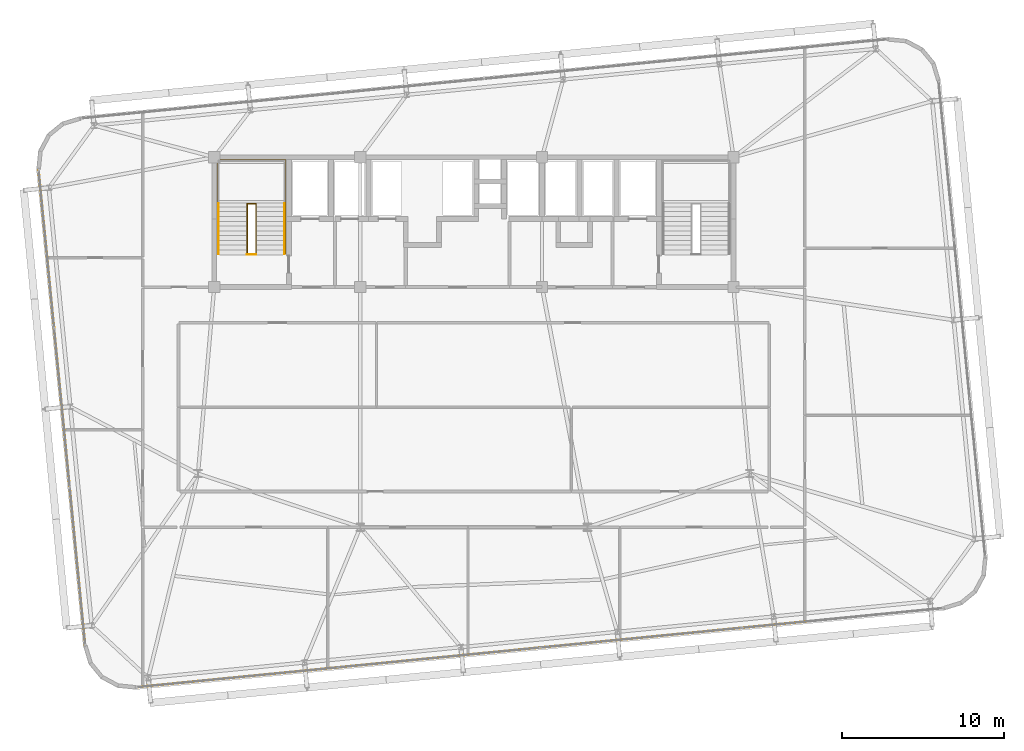
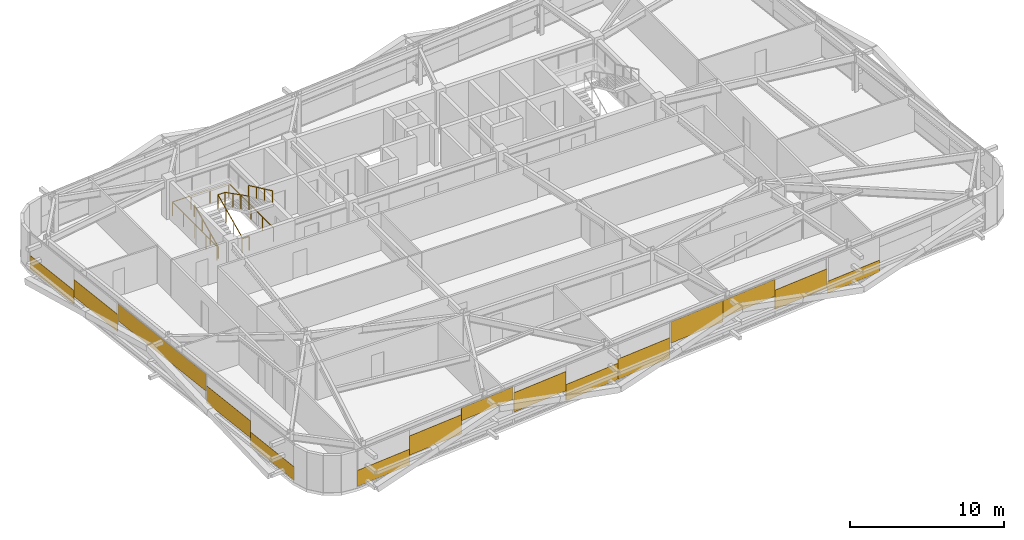
# One storey, part 45 of 47: 15 coverings, 5 railings.
"""IFC4 building model written with IfcOpenShell, lengths in metres."""

from ifc_helpers import new_model, si_unit, direction, frame, origin, origin_2d, place, context, subcontext, project, spatial, rectangle, extrude, source, transform, mapped, material, layer, layer_set, type_object, element, save


model = new_model("IFC4")

# Units and contexts
model_context = context("Model", 3, precision=1e-05, world=origin(), true_north=direction((0.0, 1.0)))
body_context = subcontext(model_context, "Body", "Model", "MODEL_VIEW")
ifc_project = project(units=[si_unit("LENGTHUNIT", "METRE"), si_unit("AREAUNIT", "SQUARE_METRE"), si_unit("VOLUMEUNIT", "CUBIC_METRE"), si_unit("PLANEANGLEUNIT", "RADIAN"), si_unit("MASSUNIT", "GRAM", prefix="KILO")], contexts=[model_context])

# Site, building, storey
site_placement = place(None, origin())
site = spatial("IfcSite", under=ifc_project, at=site_placement, CompositionType="ELEMENT")
building_placement = place(site_placement, origin())
building = spatial("IfcBuilding", under=site, at=building_placement, Name="Taldren Reach Tower", CompositionType="ELEMENT")
storey_placement = place(building_placement, frame((0.0, 0.0, 87.14990234375)))
storey = spatial("IfcBuildingStorey", under=building, at=storey_placement, Name="L26", CompositionType="ELEMENT", Elevation=87.14990234375)

# Railings
ifc_material_1 = material(Name="Steel Gr 350 (C350L0)", Category="steel")
ifc_layer_1 = layer(ifc_material_1, 0.050048828125)
ifc_layer_set_1 = layer_set([ifc_layer_1], Name="Steel Gr 350 (C350L0)")
railing_type_1 = type_object("IfcRailingType", Name="RL-STAIR-GR", PredefinedType="GUARDRAIL", material=ifc_layer_set_1)
railing_1_placement = place(storey_placement, frame((21.030029296875, 26.050048828125, 0.13134765625)))
element("IfcRailing", 1, at=railing_1_placement, inside=storey, type_object=railing_type_1, Name="Stairwell inner guard ST1-L26", PredefinedType="GUARDRAIL", context=body_context, shape_type="SweptSolid", body=[
    extrude(rectangle(XDim=0.047852, YDim=0.047852, at=origin_2d()), frame((0.0, 0.0, 1.09619140625), z_axis=(0.0, 0.905710134349, 0.423897573167), x_axis=(-1.0, 0.0, 0.0)), (0.0, 0.0, 1.0), 3.406005859375),
    extrude(rectangle(XDim=0.047852, YDim=0.047852, at=origin_2d()), frame((0.0, 3.0849609375, 2.5400390625), z_axis=(1.0, 0.0, 0.0), x_axis=(0.0, 1.0, 0.0)), (0.0, 0.0, 1.0), 0.5400390625),
    extrude(rectangle(XDim=0.047852, YDim=0.047852, at=origin_2d()), frame((0.5400390625, 3.0849609375, 2.5400390625), z_axis=(0.0, -0.890645957773, 0.45469745755), x_axis=(1.0, 0.0, 0.0)), (0.0, 0.0, 1.0), 3.463623046875),
    extrude(rectangle(XDim=0.041992, YDim=0.041992, at=origin_2d()), origin(), (0.0, 0.0, 1.0), 1.072021484375),
    extrude(rectangle(XDim=0.041992, YDim=0.041992, at=origin_2d()), frame((0.0, 1.0283203125, 0.481201171875)), (0.0, 0.0, 1.0), 1.072021484375),
    extrude(rectangle(XDim=0.041992, YDim=0.041992, at=origin_2d()), frame((0.0, 2.056640625, 0.962646484375)), (0.0, 0.0, 1.0), 1.072021484375),
    extrude(rectangle(XDim=0.041992, YDim=0.041992, at=origin_2d()), frame((0.0, 3.0849609375, 1.44384765625)), (0.0, 0.0, 1.0), 1.072021484375),
    extrude(rectangle(XDim=0.041992, YDim=0.041992, at=origin_2d()), frame((0.5400390625, 3.0849609375, 1.44384765625)), (0.0, 0.0, 1.0), 1.072021484375),
    extrude(rectangle(XDim=0.041992, YDim=0.041992, at=origin_2d()), frame((0.5400390625, 2.056640625, 1.96875)), (0.0, 0.0, 1.0), 1.072021484375),
    extrude(rectangle(XDim=0.041992, YDim=0.041992, at=origin_2d()), frame((0.5400390625, 1.0283203125, 2.493896484375)), (0.0, 0.0, 1.0), 1.072021484375),
    extrude(rectangle(XDim=0.041992, YDim=0.041992, at=origin_2d()), frame((0.5400390625, 0.0, 3.018798828125)), (0.0, 0.0, 1.0), 1.072021484375),
])
railing_2_placement = place(storey_placement, frame((21.030029296875, 26.010009765625, 0.0)))
element("IfcRailing", 2, at=railing_2_placement, inside=storey, type_object=railing_type_1, Name="Stairwell landing slot guard ST1-L26", PredefinedType="GUARDRAIL", context=body_context, shape_type="SweptSolid", body=[
    extrude(rectangle(XDim=0.047852, YDim=0.047852, at=origin_2d()), frame((0.0, 0.0, 1.09619140625), z_axis=(1.0, 0.0, 0.0), x_axis=(0.0, 1.0, 0.0)), (0.0, 0.0, 1.0), 0.5400390625),
    extrude(rectangle(XDim=0.041992, YDim=0.041992, at=origin_2d()), origin(), (0.0, 0.0, 1.0), 1.072021484375),
    extrude(rectangle(XDim=0.041992, YDim=0.041992, at=origin_2d()), frame((0.5400390625, 0.0, 0.0)), (0.0, 0.0, 1.0), 1.072021484375),
])
railing_3_placement = place(storey_placement, frame((19.18994140625, 26.050048828125, 0.0)))
element("IfcRailing", 3, at=railing_3_placement, inside=storey, type_object=railing_type_1, Name="Stairwell floor opening guard ST1-L26", PredefinedType="GUARDRAIL", context=body_context, shape_type="SweptSolid", body=[
    extrude(rectangle(XDim=0.047852, YDim=0.047852, at=origin_2d()), frame((0.0, 0.0, 1.09619140625), z_axis=(0.0, 1.0, 0.0), x_axis=(-1.0, 0.0, 0.0)), (0.0, 0.0, 1.0), 5.800048828125),
    extrude(rectangle(XDim=0.047852, YDim=0.047852, at=origin_2d()), frame((0.0, 5.800048828125, 1.09619140625), z_axis=(1.0, 0.0, 0.0), x_axis=(0.0, 1.0, 0.0)), (0.0, 0.0, 1.0), 4.219970703125),
    extrude(rectangle(XDim=0.047852, YDim=0.047852, at=origin_2d()), frame((4.219970703125, 5.800048828125, 1.09619140625), z_axis=(0.0, -1.0, 0.0), x_axis=(1.0, 0.0, 0.0)), (0.0, 0.0, 1.0), 5.800048828125),
    extrude(rectangle(XDim=0.041992, YDim=0.041992, at=origin_2d()), origin(), (0.0, 0.0, 1.0), 1.072021484375),
    extrude(rectangle(XDim=0.041992, YDim=0.041992, at=origin_2d()), frame((0.0, 1.449951171875, 0.0)), (0.0, 0.0, 1.0), 1.072021484375),
    extrude(rectangle(XDim=0.041992, YDim=0.041992, at=origin_2d()), frame((0.0, 2.89990234375, 0.0)), (0.0, 0.0, 1.0), 1.072021484375),
    extrude(rectangle(XDim=0.041992, YDim=0.041992, at=origin_2d()), frame((0.0, 4.35009765625, 0.0)), (0.0, 0.0, 1.0), 1.072021484375),
    extrude(rectangle(XDim=0.041992, YDim=0.041992, at=origin_2d()), frame((0.0, 5.800048828125, 0.0)), (0.0, 0.0, 1.0), 1.072021484375),
    extrude(rectangle(XDim=0.041992, YDim=0.041992, at=origin_2d()), frame((1.40673828125, 5.800048828125, 0.0)), (0.0, 0.0, 1.0), 1.072021484375),
    extrude(rectangle(XDim=0.041992, YDim=0.041992, at=origin_2d()), frame((2.813232421875, 5.800048828125, 0.0)), (0.0, 0.0, 1.0), 1.072021484375),
    extrude(rectangle(XDim=0.041992, YDim=0.041992, at=origin_2d()), frame((4.219970703125, 5.800048828125, 0.0)), (0.0, 0.0, 1.0), 1.072021484375),
    extrude(rectangle(XDim=0.041992, YDim=0.041992, at=origin_2d()), frame((4.219970703125, 4.35009765625, 0.0)), (0.0, 0.0, 1.0), 1.072021484375),
    extrude(rectangle(XDim=0.041992, YDim=0.041992, at=origin_2d()), frame((4.219970703125, 2.89990234375, 0.0)), (0.0, 0.0, 1.0), 1.072021484375),
    extrude(rectangle(XDim=0.041992, YDim=0.041992, at=origin_2d()), frame((4.219970703125, 1.449951171875, 0.0)), (0.0, 0.0, 1.0), 1.072021484375),
    extrude(rectangle(XDim=0.041992, YDim=0.041992, at=origin_2d()), frame((4.219970703125, 0.0, 0.0)), (0.0, 0.0, 1.0), 1.072021484375),
])
ifc_material_2 = material(Name="Stainless Steel Gr 316", Category="steel")
ifc_layer_2 = layer(ifc_material_2, 0.048095703125)
ifc_layer_set_2 = layer_set([ifc_layer_2], Name="Stainless Steel Gr 316")
railing_type_2 = type_object("IfcRailingType", Name="RL-STAIR-HR", PredefinedType="HANDRAIL", material=ifc_layer_set_2)
railing_4_placement = place(storey_placement, frame((19.27001953125, 26.050048828125, 0.13134765625)))
element("IfcRailing", 4, at=railing_4_placement, inside=storey, type_object=railing_type_2, Name="Stair flight handrail ST1-L26-1", PredefinedType="HANDRAIL", context=body_context, shape_type="SweptSolid", body=[
    extrude(rectangle(XDim=0.047852, YDim=0.047852, at=origin_2d()), frame((0.0, 0.0, 0.89599609375), z_axis=(0.0, 0.905710134349, 0.423897573167), x_axis=(-1.0, 0.0, 0.0)), (0.0, 0.0, 1.0), 3.406005859375),
    extrude(rectangle(XDim=0.041992, YDim=0.041992, at=origin_2d()), origin(), (0.0, 0.0, 1.0), 0.871826171875),
    extrude(rectangle(XDim=0.041992, YDim=0.041992, at=origin_2d()), frame((0.0, 1.0283203125, 0.481201171875)), (0.0, 0.0, 1.0), 0.871826171875),
    extrude(rectangle(XDim=0.041992, YDim=0.041992, at=origin_2d()), frame((0.0, 2.056640625, 0.962646484375)), (0.0, 0.0, 1.0), 0.871826171875),
    extrude(rectangle(XDim=0.041992, YDim=0.041992, at=origin_2d()), frame((0.0, 3.0849609375, 1.44384765625)), (0.0, 0.0, 1.0), 0.871826171875),
])
railing_5_placement = place(storey_placement, frame((23.330078125, 29.135009765625, 1.706298828125)))
element("IfcRailing", 5, at=railing_5_placement, inside=storey, type_object=railing_type_2, Name="Stair flight handrail ST1-L26-2", PredefinedType="HANDRAIL", context=body_context, shape_type="SweptSolid", body=[
    extrude(rectangle(XDim=0.047852, YDim=0.047852, at=origin_2d()), frame((0.0, 0.0, 0.89599609375), z_axis=(0.0, -0.905710134349, 0.423897573167), x_axis=(1.0, 0.0, 0.0)), (0.0, 0.0, 1.0), 3.406005859375),
    extrude(rectangle(XDim=0.041992, YDim=0.041992, at=origin_2d()), origin(), (0.0, 0.0, 1.0), 0.871826171875),
    extrude(rectangle(XDim=0.041992, YDim=0.041992, at=origin_2d()), frame((0.0, -1.0283203125, 0.481201171875)), (0.0, 0.0, 1.0), 0.871826171875),
    extrude(rectangle(XDim=0.041992, YDim=0.041992, at=origin_2d()), frame((0.0, -2.056640625, 0.962646484375)), (0.0, 0.0, 1.0), 0.871826171875),
    extrude(rectangle(XDim=0.041992, YDim=0.041992, at=origin_2d()), frame((0.0, -3.0849609375, 1.44384765625)), (0.0, 0.0, 1.0), 0.871826171875),
])

# Coverings
ifc_material_3 = material(Name="Pale Champagne Fluoropolymer Aluminium Spandrel Cladding", Category="aluminium")
ifc_layer_3 = layer(ifc_material_3, 0.0439453125)
ifc_layer_set_3 = layer_set([ifc_layer_3], Name="Pale Champagne Fluoropolymer Aluminium Spandrel Cladding")
covering_type = type_object("IfcCoveringType", Name="CV-CLAD-044", PredefinedType="CLADDING", material=ifc_layer_set_3)
shared_shape_1 = source(origin(), body_context, "Body", "SweptSolid", [
    extrude(rectangle(XDim=4.13427734375, YDim=0.0439453125, at=origin_2d()), origin(), (0.0, 0.0, 1.0), 1.260498046875),
])
covering_1_placement = place(storey_placement, frame((16.3095703125, -0.45751953125, 0.05517578125), z_axis=(0.0, 0.0, 1.0), x_axis=(0.995227390247, 0.097582999046, 0.0)))
element("IfcCovering", 6, at=covering_1_placement, inside=storey, type_object=covering_type, Name="Diagrid closure cladding strip CW-3 panel 1.1 1", PredefinedType="CLADDING", context=body_context, shape_type="MappedRepresentation", body=[
    mapped(shared_shape_1, transform((0.0, 0.0, 0.0), scale=1.0)),
])
shared_shape_2 = source(origin(), body_context, "Body", "SweptSolid", [
    extrude(rectangle(XDim=4.13427734375, YDim=0.0439453125, at=origin_2d()), origin(), (0.0, 0.0, 1.0), 1.52197265625),
])
covering_2_placement = place(storey_placement, frame((20.424072265625, -0.053955078125, 0.831298828125), z_axis=(0.0, 0.0, 1.0), x_axis=(0.995227390247, 0.097582999046, 0.0)))
element("IfcCovering", 7, at=covering_2_placement, inside=storey, type_object=covering_type, Name="Diagrid closure cladding strip CW-3 panel 1.1 2", PredefinedType="CLADDING", context=body_context, shape_type="MappedRepresentation", body=[
    mapped(shared_shape_2, transform((0.0, 0.0, 0.0), scale=1.0)),
])
shared_shape_3 = source(origin(), body_context, "Body", "SweptSolid", [
    extrude(rectangle(XDim=4.13427734375, YDim=0.0439453125, at=origin_2d()), origin(), (0.0, 0.0, 1.0), 1.006103515625),
])
covering_3_placement = place(storey_placement, frame((24.53857421875, 0.349365234375, 1.869140625), z_axis=(0.0, 0.0, 1.0), x_axis=(0.995227390247, 0.097582999046, 0.0)))
element("IfcCovering", 8, at=covering_3_placement, inside=storey, type_object=covering_type, Name="Diagrid closure cladding strip CW-3 panel 1.1 3", PredefinedType="CLADDING", context=body_context, shape_type="MappedRepresentation", body=[
    mapped(shared_shape_3, transform((0.0, 0.0, 0.0), scale=1.0)),
])
shared_shape_4 = source(origin(), body_context, "Body", "SweptSolid", [
    extrude(rectangle(XDim=4.14501953125, YDim=0.0439453125, at=origin_2d()), origin(), (0.0, 0.0, 1.0), 1.52490234375),
])
for number, where, z_axis, x_axis, name in (
    (9, (28.72314453125, 0.759765625, 0.85205078125), (0.0, 0.0, 1.0), (0.995227390247, 0.097582999046, 0.0), "Diagrid closure cladding strip CW-3 panel 2.1 1"),
    (10, (49.413818359375, 2.788330078125, 0.4931640625), (0.0, 0.0, 1.0), (0.995227390247, 0.097582999046, 0.0), "Diagrid closure cladding strip CW-3 panel 3.1 3"),
):
    element("IfcCovering", number, at=place(storey_placement, frame(where, z_axis=z_axis, x_axis=x_axis)), inside=storey, type_object=covering_type, Name=name, PredefinedType="CLADDING", context=body_context, shape_type="MappedRepresentation", body=[
        mapped(shared_shape_4, transform((0.0, 0.0, 0.0), scale=1.0)),
    ])
shared_shape_5 = source(origin(), body_context, "Body", "SweptSolid", [
    extrude(rectangle(XDim=4.14501953125, YDim=0.0439453125, at=origin_2d()), origin(), (0.0, 0.0, 1.0), 1.28125),
])
covering_4_placement = place(storey_placement, frame((32.84814453125, 1.1640625, 0.05517578125), z_axis=(0.0, 0.0, 1.0), x_axis=(0.995227390247, 0.097582999046, 0.0)))
element("IfcCovering", 11, at=covering_4_placement, inside=storey, type_object=covering_type, Name="Diagrid closure cladding strip CW-3 panel 2.1 2", PredefinedType="CLADDING", context=body_context, shape_type="MappedRepresentation", body=[
    mapped(shared_shape_5, transform((0.0, 0.0, 0.0), scale=1.0)),
])
shared_shape_6 = source(origin(), body_context, "Body", "SweptSolid", [
    extrude(rectangle(XDim=4.14501953125, YDim=0.0439453125, at=origin_2d()), origin(), (0.0, 0.0, 1.0), 1.614013671875),
])
covering_5_placement = place(storey_placement, frame((36.973388671875, 1.568603515625, 0.05517578125), z_axis=(0.0, 0.0, 1.0), x_axis=(0.995227390247, 0.097582999046, 0.0)))
element("IfcCovering", 12, at=covering_5_placement, inside=storey, type_object=covering_type, Name="Diagrid closure cladding strip CW-3 panel 2.1 3", PredefinedType="CLADDING", context=body_context, shape_type="MappedRepresentation", body=[
    mapped(shared_shape_6, transform((0.0, 0.0, 0.0), scale=1.0)),
])
shared_shape_7 = source(origin(), body_context, "Body", "SweptSolid", [
    extrude(rectangle(XDim=4.14501953125, YDim=0.0439453125, at=origin_2d()), origin(), (0.0, 0.0, 1.0), 1.674072265625),
])
covering_6_placement = place(storey_placement, frame((41.163330078125, 1.9794921875, 1.201171875), z_axis=(0.0, 0.0, 1.0), x_axis=(0.995227390247, 0.097582999046, 0.0)))
element("IfcCovering", 13, at=covering_6_placement, inside=storey, type_object=covering_type, Name="Diagrid closure cladding strip CW-3 panel 3.1 1", PredefinedType="CLADDING", context=body_context, shape_type="MappedRepresentation", body=[
    mapped(shared_shape_7, transform((0.0, 0.0, 0.0), scale=1.0)),
])
shared_shape_8 = source(origin(), body_context, "Body", "SweptSolid", [
    extrude(rectangle(XDim=4.14501953125, YDim=0.0439453125, at=origin_2d()), origin(), (0.0, 0.0, 1.0), 1.34130859375),
])
covering_7_placement = place(storey_placement, frame((45.28857421875, 2.384033203125, 1.53369140625), z_axis=(0.0, 0.0, 1.0), x_axis=(0.995227390247, 0.097582999046, 0.0)))
element("IfcCovering", 14, at=covering_7_placement, inside=storey, type_object=covering_type, Name="Diagrid closure cladding strip CW-3 panel 3.1 2", PredefinedType="CLADDING", context=body_context, shape_type="MappedRepresentation", body=[
    mapped(shared_shape_8, transform((0.0, 0.0, 0.0), scale=1.0)),
])
shared_shape_9 = source(origin(), body_context, "Body", "SweptSolid", [
    extrude(rectangle(XDim=4.13427734375, YDim=0.0439453125, at=origin_2d()), origin(), (0.0, 0.0, 1.0), 0.946044921875),
])
covering_8_placement = place(storey_placement, frame((53.598388671875, 3.19873046875, 0.05517578125), z_axis=(0.0, 0.0, 1.0), x_axis=(0.995227390247, 0.097582999046, 0.0)))
element("IfcCovering", 15, at=covering_8_placement, inside=storey, type_object=covering_type, Name="Diagrid closure cladding strip CW-3 panel 4.1 1", PredefinedType="CLADDING", context=body_context, shape_type="MappedRepresentation", body=[
    mapped(shared_shape_9, transform((0.0, 0.0, 0.0), scale=1.0)),
])
shared_shape_10 = source(origin(), body_context, "Body", "SweptSolid", [
    extrude(rectangle(XDim=4.867919921875, YDim=0.0439453125, at=origin_2d()), origin(), (0.0, 0.0, 1.0), 1.072998046875),
])
for number, where, z_axis, x_axis, name in (
    (16, (8.427490234375, 28.77392578125, 0.05517578125), (0.0, 0.0, 1.0), (0.09758274098, -0.99522741555, 0.0), "Diagrid closure cladding strip CW-3 panel 1.1 1"),
    (17, (10.818359375, 4.388671875, 0.05517578125), (0.0, 0.0, 1.0), (0.09758274098, -0.99522741555, 0.0), "Diagrid closure cladding strip CW-3 panel 3.1 2"),
):
    element("IfcCovering", number, at=place(storey_placement, frame(where, z_axis=z_axis, x_axis=x_axis)), inside=storey, type_object=covering_type, Name=name, PredefinedType="CLADDING", context=body_context, shape_type="MappedRepresentation", body=[
        mapped(shared_shape_10, transform((0.0, 0.0, 0.0), scale=1.0)),
    ])
shared_shape_11 = source(origin(), body_context, "Body", "SweptSolid", [
    extrude(rectangle(XDim=4.867919921875, YDim=0.0439453125, at=origin_2d()), origin(), (0.0, 0.0, 1.0), 1.350341796875),
])
for number, where, z_axis, x_axis, name in (
    (18, (8.902587890625, 23.92919921875, 0.65087890625), (0.0, 0.0, 1.0), (0.09758274098, -0.99522741555, 0.0), "Diagrid closure cladding strip CW-3 panel 1.1 2"),
    (19, (10.343505859375, 9.2333984375, 0.65087890625), (0.0, 0.0, 1.0), (0.09758274098, -0.99522741555, 0.0), "Diagrid closure cladding strip CW-3 panel 3.1 1"),
):
    element("IfcCovering", number, at=place(storey_placement, frame(where, z_axis=z_axis, x_axis=x_axis)), inside=storey, type_object=covering_type, Name=name, PredefinedType="CLADDING", context=body_context, shape_type="MappedRepresentation", body=[
        mapped(shared_shape_11, transform((0.0, 0.0, 0.0), scale=1.0)),
    ])
shared_shape_12 = source(origin(), body_context, "Body", "SweptSolid", [
    extrude(rectangle(XDim=9.768310546875, YDim=0.0439453125, at=origin_2d()), origin(), (0.0, 0.0, 1.0), 1.339599609375),
])
covering_9_placement = place(storey_placement, frame((9.623046875, 16.581298828125, 1.53564453125), z_axis=(0.0, 0.0, 1.0), x_axis=(0.09758274098, -0.99522741555, 0.0)))
element("IfcCovering", 20, at=covering_9_placement, inside=storey, type_object=covering_type, Name="Diagrid closure cladding strip CW-3 panel 2.1 1", PredefinedType="CLADDING", context=body_context, shape_type="MappedRepresentation", body=[
    mapped(shared_shape_12, transform((0.0, 0.0, 0.0), scale=1.0)),
])

save(model, "model.ifc")
